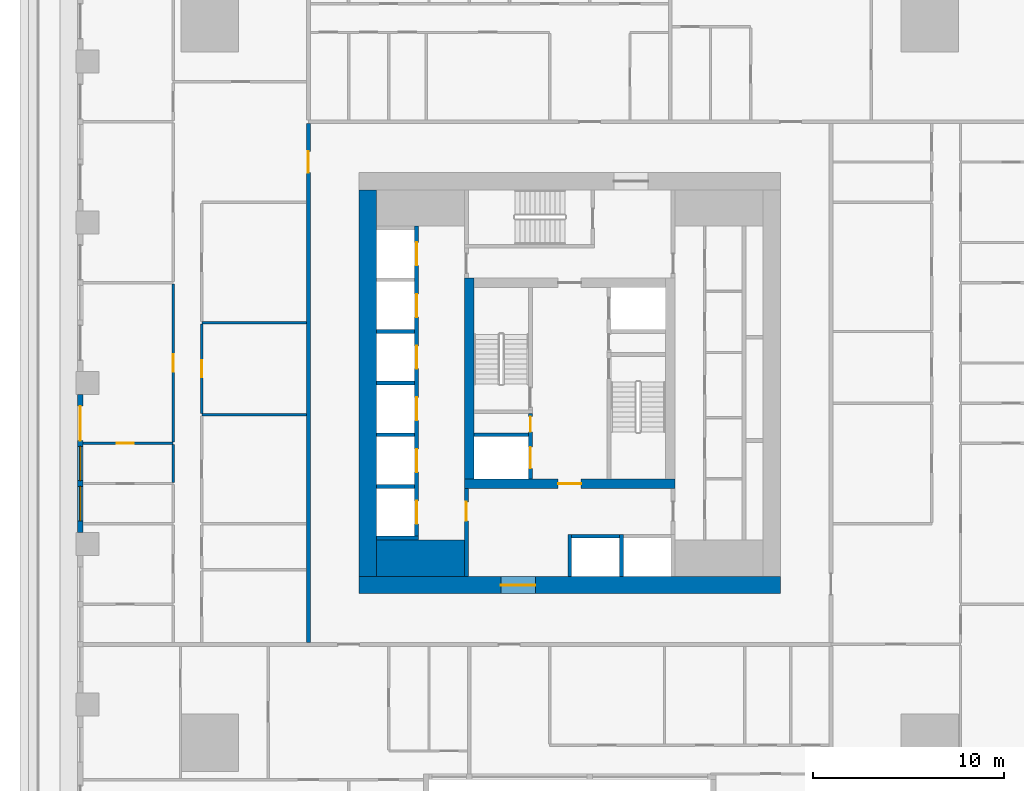
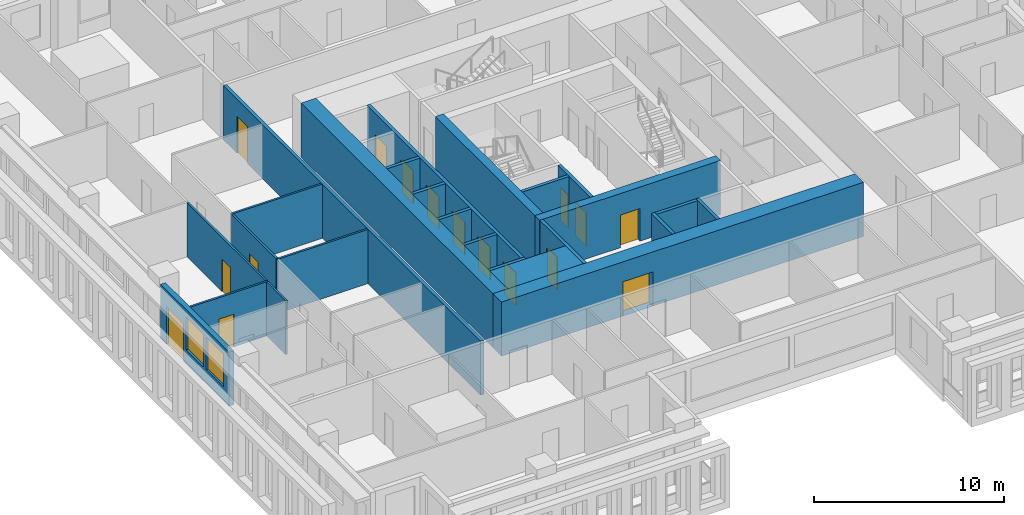
# One storey, part 3 of 15: 25 walls, 16 doors, 2 windows, 18 openings.
"""IFC4 building model written with IfcOpenShell, lengths in metres."""

from ifc_helpers import new_model, si_unit, direction, frame, frame_2d, origin, place, context, subcontext, project, spatial, rectangle, extrude, material, layer, layer_set, type_object, element, fill, save


model = new_model("IFC4")

# Units and contexts
model_context = context("Model", 3, precision=1e-05, world=origin(), true_north=direction((0.0, 1.0)))
body_context = subcontext(model_context, "Body", "Model", "MODEL_VIEW")
ifc_project = project(units=[si_unit("LENGTHUNIT", "METRE"), si_unit("AREAUNIT", "SQUARE_METRE"), si_unit("VOLUMEUNIT", "CUBIC_METRE"), si_unit("PLANEANGLEUNIT", "RADIAN"), si_unit("MASSUNIT", "GRAM", prefix="KILO")], contexts=[model_context])

# Site, building, storey
site_placement = place(None, origin())
site = spatial("IfcSite", under=ifc_project, at=site_placement, CompositionType="ELEMENT")
building_placement = place(site_placement, origin())
building = spatial("IfcBuilding", under=site, at=building_placement, Name="Khepri Terraces", CompositionType="ELEMENT")
storey_placement = place(building_placement, frame((0.0, 0.0, 46.5)))
storey = spatial("IfcBuildingStorey", under=building, at=storey_placement, Name="L10", CompositionType="ELEMENT", Elevation=46.5)

# Walls
ifc_material_1 = material(Name="Concrete C80/95", Category="concrete")
ifc_layer_1 = layer(ifc_material_1, 1.89990234375, Name="Concrete C80/95", Category="concrete")
ifc_layer_set_1 = layer_set([ifc_layer_1], Name="Concrete C80/95")
wall_type_1 = type_object("IfcWallType", Name="Core wall 1900 C80/95", PredefinedType="SHEAR", material=ifc_layer_set_1)
wall_1_placement = place(storey_placement, frame((-10.10009765625, -9.14990234375, 0.0), z_axis=(0.0, 0.0, 1.0), x_axis=(1.0, 0.0, 0.0)))
element("IfcWall", 1, at=wall_1_placement, inside=storey, type_object=wall_type_1, Name="Core wall PR01 L10", PredefinedType="SHEAR", context=body_context, shape_type="SweptSolid", body=[
    extrude(rectangle(XDim=4.60009765625, YDim=1.89990234375, at=frame_2d((2.300048828125, 0.0))), origin(), (0.0, 0.0, 1.0), 3.47998046875),
])
ifc_layer_2 = layer(ifc_material_1, 0.199951171875, Name="Concrete C80/95", Category="concrete")
ifc_layer_set_2 = layer_set([ifc_layer_2], Name="Concrete C80/95")
wall_type_2 = type_object("IfcWallType", Name="Core wall 200 C80/95", PredefinedType="SHEAR", material=ifc_layer_set_2)
for number, where, z_axis, x_axis, name in (
    (2, (0.0, -10.10009765625, 0.0), (0.0, 0.0, 1.0), (0.0, 1.0, 0.0), "Core wall SH01 L10"),
    (3, (2.699951171875, -10.10009765625, 0.0), (0.0, 0.0, 1.0), (0.0, 1.0, 0.0), "Core wall SH02 L10"),
    (4, (-10.10009765625, -8.10009765625, 0.0), (0.0, 0.0, 1.0), (1.0, 0.0, 0.0), "Core wall SH04 L10"),
):
    element("IfcWall", number, at=place(storey_placement, frame(where, z_axis=z_axis, x_axis=x_axis)), inside=storey, type_object=wall_type_2, Name=name, PredefinedType="SHEAR", context=body_context, shape_type="SweptSolid", body=[
        extrude(rectangle(XDim=2.2001953125, YDim=0.199951171875, at=frame_2d((1.10009765625, 0.0))), origin(), (0.0, 0.0, 1.0), 3.47998046875),
    ])
wall_2_placement = place(storey_placement, frame((0.10009765625, -8.0, 0.0), z_axis=(0.0, 0.0, 1.0), x_axis=(1.0, 0.0, 0.0)))
element("IfcWall", 5, at=wall_2_placement, inside=storey, type_object=wall_type_2, Name="Core wall SH06 L10", PredefinedType="SHEAR", context=body_context, shape_type="SweptSolid", body=[
    extrude(rectangle(XDim=2.5, YDim=0.199951171875, at=frame_2d((1.25, 0.0))), origin(), (0.0, 0.0, 1.0), 3.47998046875),
])

# Wall, openings, doors
wall_3_placement = place(storey_placement, frame((-8.0, -8.0, 0.0), z_axis=(0.0, 0.0, 1.0), x_axis=(0.0, 1.0, 0.0)))
wall_3 = element("IfcWall", 6, at=wall_3_placement, inside=storey, type_object=wall_type_2, Name="Core wall SH08 L10", PredefinedType="SHEAR", context=body_context, shape_type="SweptSolid", body=[
    extrude(rectangle(XDim=16.199951171875, YDim=0.199951171875, at=frame_2d((8.10009765625, 0.0))), origin(), (0.0, 0.0, 1.0), 3.47998046875),
])
opening_1_placement = place(wall_3_placement, frame((0.64990234375, 0.0, 0.0)))
opening_1 = element("IfcOpeningElement", 7, at=opening_1_placement, cuts=wall_3, Name="Opening L10-C01", PredefinedType="OPENING", context=body_context, shape_type="SweptSolid", body=[
    extrude(rectangle(XDim=1.199951171875, YDim=2.10009765625, at=frame_2d((0.60009765625, 1.050048828125))), frame((0.0, 0.10986328125, 0.0), z_axis=(0.0, -1.0, 0.0), x_axis=(1.0, 0.0, 0.0)), (0.0, 0.0, 1.0), 0.219970703125),
])
opening_2_placement = place(wall_3_placement, frame((3.35009765625, 0.0, 0.0)))
opening_2 = element("IfcOpeningElement", 8, at=opening_2_placement, cuts=wall_3, Name="Opening L10-C02", PredefinedType="OPENING", context=body_context, shape_type="SweptSolid", body=[
    extrude(rectangle(XDim=1.199951171875, YDim=2.10009765625, at=frame_2d((0.60009765625, 1.050048828125))), frame((0.0, 0.10986328125, 0.0), z_axis=(0.0, -1.0, 0.0), x_axis=(1.0, 0.0, 0.0)), (0.0, 0.0, 1.0), 0.219970703125),
])
opening_3_placement = place(wall_3_placement, frame((6.050048828125, 0.0, 0.0)))
opening_3 = element("IfcOpeningElement", 9, at=opening_3_placement, cuts=wall_3, Name="Opening L10-C03", PredefinedType="OPENING", context=body_context, shape_type="SweptSolid", body=[
    extrude(rectangle(XDim=1.199951171875, YDim=2.10009765625, at=frame_2d((0.60009765625, 1.050048828125))), frame((0.0, 0.10986328125, 0.0), z_axis=(0.0, -1.0, 0.0), x_axis=(1.0, 0.0, 0.0)), (0.0, 0.0, 1.0), 0.219970703125),
])
opening_4_placement = place(wall_3_placement, frame((8.75, 0.0, 0.0)))
opening_4 = element("IfcOpeningElement", 10, at=opening_4_placement, cuts=wall_3, Name="Opening L10-C04", PredefinedType="OPENING", context=body_context, shape_type="SweptSolid", body=[
    extrude(rectangle(XDim=1.199951171875, YDim=2.10009765625, at=frame_2d((0.60009765625, 1.050048828125))), frame((0.0, 0.10986328125, 0.0), z_axis=(0.0, -1.0, 0.0), x_axis=(1.0, 0.0, 0.0)), (0.0, 0.0, 1.0), 0.219970703125),
])
opening_5_placement = place(wall_3_placement, frame((11.449951171875, 0.0, 0.0)))
opening_5 = element("IfcOpeningElement", 11, at=opening_5_placement, cuts=wall_3, Name="Opening L10-C05", PredefinedType="OPENING", context=body_context, shape_type="SweptSolid", body=[
    extrude(rectangle(XDim=1.199951171875, YDim=2.10009765625, at=frame_2d((0.60009765625, 1.050048828125))), frame((0.0, 0.10986328125, 0.0), z_axis=(0.0, -1.0, 0.0), x_axis=(1.0, 0.0, 0.0)), (0.0, 0.0, 1.0), 0.219970703125),
])
opening_6_placement = place(wall_3_placement, frame((14.14990234375, 0.0, 0.0)))
opening_6 = element("IfcOpeningElement", 12, at=opening_6_placement, cuts=wall_3, Name="Opening L10-C06", PredefinedType="OPENING", context=body_context, shape_type="SweptSolid", body=[
    extrude(rectangle(XDim=1.199951171875, YDim=2.10009765625, at=frame_2d((0.60009765625, 1.050048828125))), frame((0.0, 0.10986328125, 0.0), z_axis=(0.0, -1.0, 0.0), x_axis=(1.0, 0.0, 0.0)), (0.0, 0.0, 1.0), 0.219970703125),
])
ifc_material_2 = material(Name="Stainless steel 304", Category="steel")
door_type_1 = type_object("IfcDoorType", Name="DR-CORE-LANDING-1200", OperationType="NOTDEFINED", PredefinedType="DOOR", material=ifc_material_2)
door_1_placement = place(opening_1_placement, origin())
door_1 = element("IfcDoor", 13, at=door_1_placement, inside=storey, type_object=door_type_1, Name="Lift landing door L10-C01", OperationType="SLIDING_TO_LEFT", OverallHeight=2.10009765625, OverallWidth=1.199951171875, PredefinedType="DOOR", context=body_context, shape_type="SweptSolid", body=[
    extrude(rectangle(XDim=1.199951171875, YDim=2.10009765625, at=frame_2d((0.60009765625, 1.050048828125))), frame((0.0, 0.02490234375, 0.0), z_axis=(0.0, -1.0, 0.0), x_axis=(1.0, 0.0, 0.0)), (0.0, 0.0, 1.0), 0.050048828125),
])
fill(opening_1, door_1)
door_2_placement = place(opening_2_placement, origin())
door_2 = element("IfcDoor", 14, at=door_2_placement, inside=storey, type_object=door_type_1, Name="Lift landing door L10-C02", OperationType="SLIDING_TO_LEFT", OverallHeight=2.10009765625, OverallWidth=1.199951171875, PredefinedType="DOOR", context=body_context, shape_type="SweptSolid", body=[
    extrude(rectangle(XDim=1.199951171875, YDim=2.10009765625, at=frame_2d((0.60009765625, 1.050048828125))), frame((0.0, 0.02490234375, 0.0), z_axis=(0.0, -1.0, 0.0), x_axis=(1.0, 0.0, 0.0)), (0.0, 0.0, 1.0), 0.050048828125),
])
fill(opening_2, door_2)
door_3_placement = place(opening_3_placement, origin())
door_3 = element("IfcDoor", 15, at=door_3_placement, inside=storey, type_object=door_type_1, Name="Lift landing door L10-C03", OperationType="SLIDING_TO_LEFT", OverallHeight=2.10009765625, OverallWidth=1.199951171875, PredefinedType="DOOR", context=body_context, shape_type="SweptSolid", body=[
    extrude(rectangle(XDim=1.199951171875, YDim=2.10009765625, at=frame_2d((0.60009765625, 1.050048828125))), frame((0.0, 0.02490234375, 0.0), z_axis=(0.0, -1.0, 0.0), x_axis=(1.0, 0.0, 0.0)), (0.0, 0.0, 1.0), 0.050048828125),
])
fill(opening_3, door_3)
door_4_placement = place(opening_4_placement, origin())
door_4 = element("IfcDoor", 16, at=door_4_placement, inside=storey, type_object=door_type_1, Name="Lift landing door L10-C04", OperationType="SLIDING_TO_LEFT", OverallHeight=2.10009765625, OverallWidth=1.199951171875, PredefinedType="DOOR", context=body_context, shape_type="SweptSolid", body=[
    extrude(rectangle(XDim=1.199951171875, YDim=2.10009765625, at=frame_2d((0.60009765625, 1.050048828125))), frame((0.0, 0.02490234375, 0.0), z_axis=(0.0, -1.0, 0.0), x_axis=(1.0, 0.0, 0.0)), (0.0, 0.0, 1.0), 0.050048828125),
])
fill(opening_4, door_4)
door_5_placement = place(opening_5_placement, origin())
door_5 = element("IfcDoor", 17, at=door_5_placement, inside=storey, type_object=door_type_1, Name="Lift landing door L10-C05", OperationType="SLIDING_TO_LEFT", OverallHeight=2.10009765625, OverallWidth=1.199951171875, PredefinedType="DOOR", context=body_context, shape_type="SweptSolid", body=[
    extrude(rectangle(XDim=1.199951171875, YDim=2.10009765625, at=frame_2d((0.60009765625, 1.050048828125))), frame((0.0, 0.02490234375, 0.0), z_axis=(0.0, -1.0, 0.0), x_axis=(1.0, 0.0, 0.0)), (0.0, 0.0, 1.0), 0.050048828125),
])
fill(opening_5, door_5)
door_6_placement = place(opening_6_placement, origin())
door_6 = element("IfcDoor", 18, at=door_6_placement, inside=storey, type_object=door_type_1, Name="Lift landing door L10-C06", OperationType="SLIDING_TO_LEFT", OverallHeight=2.10009765625, OverallWidth=1.199951171875, PredefinedType="DOOR", context=body_context, shape_type="SweptSolid", body=[
    extrude(rectangle(XDim=1.199951171875, YDim=2.10009765625, at=frame_2d((0.60009765625, 1.050048828125))), frame((0.0, 0.02490234375, 0.0), z_axis=(0.0, -1.0, 0.0), x_axis=(1.0, 0.0, 0.0)), (0.0, 0.0, 1.0), 0.050048828125),
])
fill(opening_6, door_6)

# Wall
wall_4_placement = place(storey_placement, frame((-10.10009765625, -5.39990234375, 0.0), z_axis=(0.0, 0.0, 1.0), x_axis=(1.0, 0.0, 0.0)))
element("IfcWall", 19, at=wall_4_placement, inside=storey, type_object=wall_type_2, Name="Core wall SH09 L10", PredefinedType="SHEAR", context=body_context, shape_type="SweptSolid", body=[
    extrude(rectangle(XDim=2.0, YDim=0.199951171875, at=frame_2d((1.0, 0.0))), origin(), (0.0, 0.0, 1.0), 3.47998046875),
])

# Wall, openings, doors
wall_5_placement = place(storey_placement, frame((-2.050048828125, -5.0, 0.0), z_axis=(0.0, 0.0, 1.0), x_axis=(0.0, 1.0, 0.0)))
wall_5 = element("IfcWall", 20, at=wall_5_placement, inside=storey, type_object=wall_type_2, Name="Core wall SH10 L10", PredefinedType="SHEAR", context=body_context, shape_type="SweptSolid", body=[
    extrude(rectangle(XDim=3.39990234375, YDim=0.199951171875, at=frame_2d((1.699951171875, 0.0))), origin(), (0.0, 0.0, 1.0), 3.47998046875),
])
opening_7_placement = place(wall_5_placement, frame((0.550048828125, 0.0, 0.0)))
opening_7 = element("IfcOpeningElement", 21, at=opening_7_placement, cuts=wall_5, Name="Opening L10-C08", PredefinedType="OPENING", context=body_context, shape_type="SweptSolid", body=[
    extrude(rectangle(XDim=1.10009765625, YDim=2.10009765625, at=frame_2d((0.550048828125, 1.050048828125))), frame((0.0, 0.10986328125, 0.0), z_axis=(0.0, -1.0, 0.0), x_axis=(1.0, 0.0, 0.0)), (0.0, 0.0, 1.0), 0.219970703125),
])
opening_8_placement = place(wall_5_placement, frame((2.449951171875, 0.0, 0.0)))
opening_8 = element("IfcOpeningElement", 22, at=opening_8_placement, cuts=wall_5, Name="Opening L10-C12", PredefinedType="OPENING", context=body_context, shape_type="SweptSolid", body=[
    extrude(rectangle(XDim=0.800048828125, YDim=2.10009765625, at=frame_2d((0.39990234375, 1.050048828125))), frame((0.0, 0.10986328125, 0.0), z_axis=(0.0, -1.0, 0.0), x_axis=(1.0, 0.0, 0.0)), (0.0, 0.0, 1.0), 0.219970703125),
])
door_type_2 = type_object("IfcDoorType", Name="DR-CORE-FF-LANDING-1100", OperationType="NOTDEFINED", PredefinedType="DOOR", material=ifc_material_2)
door_7_placement = place(opening_7_placement, origin())
door_7 = element("IfcDoor", 23, at=door_7_placement, inside=storey, type_object=door_type_2, Name="Firefighting lift landing door L10-C08", OperationType="SLIDING_TO_LEFT", OverallHeight=2.10009765625, OverallWidth=1.10009765625, PredefinedType="DOOR", context=body_context, shape_type="SweptSolid", body=[
    extrude(rectangle(XDim=1.10009765625, YDim=2.10009765625, at=frame_2d((0.550048828125, 1.050048828125))), frame((0.0, 0.02490234375, 0.0), z_axis=(0.0, -1.0, 0.0), x_axis=(1.0, 0.0, 0.0)), (0.0, 0.0, 1.0), 0.050048828125),
])
fill(opening_7, door_7)
ifc_material_3 = material(Name="Painted steel", Category="steel")
door_type_3 = type_object("IfcDoorType", Name="DR-CORE-RISER-800", OperationType="NOTDEFINED", PredefinedType="DOOR", material=ifc_material_3)
door_8_placement = place(opening_8_placement, origin())
door_8 = element("IfcDoor", 24, at=door_8_placement, inside=storey, type_object=door_type_3, Name="Riser door L10-C12", OperationType="SINGLE_SWING_RIGHT", OverallHeight=2.10009765625, OverallWidth=0.800048828125, PredefinedType="DOOR", context=body_context, shape_type="SweptSolid", body=[
    extrude(rectangle(XDim=0.800048828125, YDim=2.10009765625, at=frame_2d((0.39990234375, 1.050048828125))), frame((0.0, 0.02490234375, 0.0), z_axis=(0.0, -1.0, 0.0), x_axis=(1.0, 0.0, 0.0)), (0.0, 0.0, 1.0), 0.050048828125),
])
fill(opening_8, door_8)

# Walls
wall_6_placement = place(storey_placement, frame((-10.10009765625, -2.699951171875, 0.0), z_axis=(0.0, 0.0, 1.0), x_axis=(1.0, 0.0, 0.0)))
element("IfcWall", 25, at=wall_6_placement, inside=storey, type_object=wall_type_2, Name="Core wall SH12 L10", PredefinedType="SHEAR", context=body_context, shape_type="SweptSolid", body=[
    extrude(rectangle(XDim=2.0, YDim=0.199951171875, at=frame_2d((1.0, 0.0))), origin(), (0.0, 0.0, 1.0), 3.47998046875),
])
wall_7_placement = place(storey_placement, frame((-5.0, -2.699951171875, 0.0), z_axis=(0.0, 0.0, 1.0), x_axis=(1.0, 0.0, 0.0)))
element("IfcWall", 26, at=wall_7_placement, inside=storey, type_object=wall_type_2, Name="Core wall SH13 L10", PredefinedType="SHEAR", context=body_context, shape_type="SweptSolid", body=[
    extrude(rectangle(XDim=2.85009765625, YDim=0.199951171875, at=frame_2d((1.425048828125, 0.0))), origin(), (0.0, 0.0, 1.0), 3.47998046875),
])
for number, where, z_axis, x_axis, name in (
    (27, (-10.10009765625, 0.0, 0.0), (0.0, 0.0, 1.0), (1.0, 0.0, 0.0), "Core wall SH14 L10"),
    (28, (-10.10009765625, 2.699951171875, 0.0), (0.0, 0.0, 1.0), (1.0, 0.0, 0.0), "Core wall SH17 L10"),
):
    element("IfcWall", number, at=place(storey_placement, frame(where, z_axis=z_axis, x_axis=x_axis)), inside=storey, type_object=wall_type_2, Name=name, PredefinedType="SHEAR", context=body_context, shape_type="SweptSolid", body=[
        extrude(rectangle(XDim=2.0, YDim=0.199951171875, at=frame_2d((1.0, 0.0))), origin(), (0.0, 0.0, 1.0), 3.47998046875),
    ])

# Wall, opening, door
ifc_layer_3 = layer(ifc_material_1, 0.5, Name="Concrete C80/95", Category="concrete")
ifc_layer_set_3 = layer_set([ifc_layer_3], Name="Concrete C80/95")
wall_type_3 = type_object("IfcWallType", Name="Core wall 500 C80/95", PredefinedType="SHEAR", material=ifc_layer_set_3)
wall_8_placement = place(storey_placement, frame((-5.5, -5.25, 0.0), z_axis=(0.0, 0.0, 1.0), x_axis=(1.0, 0.0, 0.0)))
wall_8 = element("IfcWall", 29, at=wall_8_placement, inside=storey, type_object=wall_type_3, Name="Core wall BX01 L10", PredefinedType="SHEAR", context=body_context, shape_type="SweptSolid", body=[
    extrude(rectangle(XDim=11.0, YDim=0.5, at=frame_2d((5.5, 0.0))), origin(), (0.0, 0.0, 1.0), 3.47998046875),
])
opening_9_placement = place(wall_8_placement, frame((4.89990234375, 0.0, 0.0)))
opening_9 = element("IfcOpeningElement", 30, at=opening_9_placement, cuts=wall_8, Name="Opening L10-C14", PredefinedType="OPENING", context=body_context, shape_type="SweptSolid", body=[
    extrude(rectangle(XDim=1.199951171875, YDim=2.10009765625, at=frame_2d((0.60009765625, 1.050048828125))), frame((0.0, 0.260009765625, 0.0), z_axis=(0.0, -1.0, 0.0), x_axis=(1.0, 0.0, 0.0)), (0.0, 0.0, 1.0), 0.52001953125),
])
door_type_4 = type_object("IfcDoorType", Name="DR-CORE-FF-LOBBY-1200", OperationType="NOTDEFINED", PredefinedType="DOOR", material=ifc_material_3)
door_9_placement = place(opening_9_placement, origin())
door_9 = element("IfcDoor", 31, at=door_9_placement, inside=storey, type_object=door_type_4, Name="Firefighting lobby door L10-C14", OperationType="SINGLE_SWING_RIGHT", OverallHeight=2.10009765625, OverallWidth=1.199951171875, PredefinedType="DOOR", context=body_context, shape_type="SweptSolid", body=[
    extrude(rectangle(XDim=1.199951171875, YDim=2.10009765625, at=frame_2d((0.60009765625, 1.050048828125))), frame((0.0, 0.02490234375, 0.0), z_axis=(0.0, -1.0, 0.0), x_axis=(1.0, 0.0, 0.0)), (0.0, 0.0, 1.0), 0.050048828125),
])
fill(opening_9, door_9)

# Wall
wall_9_placement = place(storey_placement, frame((-5.25, -5.0, 0.0), z_axis=(0.0, 0.0, 1.0), x_axis=(0.0, 1.0, 0.0)))
element("IfcWall", 32, at=wall_9_placement, inside=storey, type_object=wall_type_3, Name="Core wall BX02 L10", PredefinedType="SHEAR", context=body_context, shape_type="SweptSolid", body=[
    extrude(rectangle(XDim=10.5, YDim=0.5, at=frame_2d((5.25, 0.0))), origin(), (0.0, 0.0, 1.0), 3.47998046875),
])

# Wall, opening, door
ifc_layer_4 = layer(ifc_material_1, 0.89990234375, Name="Concrete C80/95", Category="concrete")
ifc_layer_set_4 = layer_set([ifc_layer_4], Name="Concrete C80/95")
wall_type_4 = type_object("IfcWallType", Name="Core wall 900 C80/95", PredefinedType="SHEAR", material=ifc_layer_set_4)
wall_10_placement = place(storey_placement, frame((-11.0, -10.550048828125, 0.0), z_axis=(0.0, 0.0, 1.0), x_axis=(1.0, 0.0, 0.0)))
wall_10 = element("IfcWall", 33, at=wall_10_placement, inside=storey, type_object=wall_type_4, Name="Core wall OW-S L10", PredefinedType="SHEAR", context=body_context, shape_type="SweptSolid", body=[
    extrude(rectangle(XDim=22.0, YDim=0.89990234375, at=frame_2d((11.0, 0.0))), origin(), (0.0, 0.0, 1.0), 3.47998046875),
])
opening_10_placement = place(wall_10_placement, frame((7.39990234375, 0.0, 0.0)))
opening_10 = element("IfcOpeningElement", 34, at=opening_10_placement, cuts=wall_10, Name="Opening L10-C21", PredefinedType="OPENING", context=body_context, shape_type="SweptSolid", body=[
    extrude(rectangle(XDim=1.800048828125, YDim=2.199951171875, at=frame_2d((0.89990234375, 1.10009765625))), frame((0.0, 0.4599609375, 0.0), z_axis=(0.0, -1.0, 0.0), x_axis=(1.0, 0.0, 0.0)), (0.0, 0.0, 1.0), 0.919921875),
])
door_type_5 = type_object("IfcDoorType", Name="DR-CORE-ENTRANCE-1800", OperationType="NOTDEFINED", PredefinedType="DOOR", material=ifc_material_3)
door_10_placement = place(opening_10_placement, frame((1.800048828125, 0.0, 0.0), z_axis=(0.0, 0.0, 1.0), x_axis=(-1.0, 0.0, 0.0)))
door_10 = element("IfcDoor", 35, at=door_10_placement, inside=storey, type_object=door_type_5, Name="Core entrance door pair L10-C21", OperationType="DOUBLE_DOOR_SINGLE_SWING", OverallHeight=2.199951171875, OverallWidth=1.800048828125, PredefinedType="DOOR", context=body_context, shape_type="SweptSolid", body=[
    extrude(rectangle(XDim=1.800048828125, YDim=2.199951171875, at=frame_2d((0.89990234375, 1.10009765625))), frame((0.0, 0.02490234375, 0.0), z_axis=(0.0, -1.0, 0.0), x_axis=(1.0, 0.0, 0.0)), (0.0, 0.0, 1.0), 0.050048828125),
])
fill(opening_10, door_10)

# Wall
wall_11_placement = place(storey_placement, frame((-10.550048828125, -10.10009765625, 0.0), z_axis=(0.0, 0.0, 1.0), x_axis=(0.0, 1.0, 0.0)))
element("IfcWall", 36, at=wall_11_placement, inside=storey, type_object=wall_type_4, Name="Core wall OW-W L10", PredefinedType="SHEAR", context=body_context, shape_type="SweptSolid", body=[
    extrude(rectangle(XDim=20.2001953125, YDim=0.89990234375, at=frame_2d((10.10009765625, 0.0))), origin(), (0.0, 0.0, 1.0), 3.47998046875),
])

# Wall, opening, door
ifc_material_4 = material(Name="Fire-rated gypsum board partition")
ifc_layer_5 = layer(ifc_material_4, 0.199951171875, Name="Fire-rated gypsum board partition")
ifc_layer_set_5 = layer_set([ifc_layer_5], Name="Fire-rated gypsum board partition")
wall_type_5 = type_object("IfcWallType", Name="WL-CORE-PART-200", PredefinedType="PARTITIONING", material=ifc_layer_set_5)
wall_12_placement = place(storey_placement, frame((-5.39990234375, -10.10009765625, 0.0), z_axis=(0.0, 0.0, 1.0), x_axis=(0.0, 1.0, 0.0)))
wall_12 = element("IfcWall", 37, at=wall_12_placement, inside=storey, type_object=wall_type_5, Name="Core partition PT01 L10", PredefinedType="PARTITIONING", context=body_context, shape_type="SweptSolid", body=[
    extrude(rectangle(XDim=4.60009765625, YDim=0.199951171875, at=frame_2d((2.300048828125, 0.0))), origin(), (0.0, 0.0, 1.0), 3.47998046875),
])
opening_11_placement = place(wall_12_placement, frame((2.89990234375, 0.0, 0.0)))
opening_11 = element("IfcOpeningElement", 38, at=opening_11_placement, cuts=wall_12, Name="Opening L10-C18", PredefinedType="OPENING", context=body_context, shape_type="SweptSolid", body=[
    extrude(rectangle(XDim=1.0, YDim=2.10009765625, at=frame_2d((0.5, 1.050048828125))), frame((0.0, 0.10986328125, 0.0), z_axis=(0.0, -1.0, 0.0), x_axis=(1.0, 0.0, 0.0)), (0.0, 0.0, 1.0), 0.219970703125),
])
door_type_6 = type_object("IfcDoorType", Name="DR-CORE-LOBBY-1000", OperationType="NOTDEFINED", PredefinedType="DOOR", material=ifc_material_3)
door_11_placement = place(opening_11_placement, frame((1.0, 0.0, 0.0), z_axis=(0.0, 0.0, 1.0), x_axis=(-1.0, 0.0, 0.0)))
door_11 = element("IfcDoor", 39, at=door_11_placement, inside=storey, type_object=door_type_6, Name="Lobby door L10-C18", OperationType="SINGLE_SWING_LEFT", OverallHeight=2.10009765625, OverallWidth=1.0, PredefinedType="DOOR", context=body_context, shape_type="SweptSolid", body=[
    extrude(rectangle(XDim=1.0, YDim=2.10009765625, at=frame_2d((0.5, 1.050048828125))), frame((0.0, 0.02490234375, 0.0), z_axis=(0.0, -1.0, 0.0), x_axis=(1.0, 0.0, 0.0)), (0.0, 0.0, 1.0), 0.050048828125),
])
fill(opening_11, door_11)

ifc_material_5 = material(Name="Fire-rated gypsum plasterboard partition, mineral wool")
ifc_layer_6 = layer(ifc_material_5, 0.199951171875, Name="Fire-rated gypsum plasterboard partition, mineral wool")
ifc_layer_set_6 = layer_set([ifc_layer_6], Name="Fire-rated gypsum plasterboard partition, mineral wool")
wall_type_6 = type_object("IfcWallType", Name="WL-CORR-200", PredefinedType="PARTITIONING", material=ifc_layer_set_6)
wall_13_placement = place(storey_placement, frame((-13.64990234375, -13.550048828125, 0.0), z_axis=(0.0, 0.0, 1.0), x_axis=(0.0, 1.0, 0.0)))
wall_13 = element("IfcWall", 40, at=wall_13_placement, inside=storey, type_object=wall_type_6, Name="Partition P-023 L10", PredefinedType="PARTITIONING", context=body_context, shape_type="SweptSolid", body=[
    extrude(rectangle(XDim=27.10009765625, YDim=0.199951171875, at=frame_2d((13.550048828125, 0.0))), origin(), (0.0, 0.0, 1.0), 3.47998046875),
])
opening_12_placement = place(wall_13_placement, frame((24.550048828125, 0.0, 0.0)))
opening_12 = element("IfcOpeningElement", 41, at=opening_12_placement, cuts=wall_13, Name="Opening D1", PredefinedType="OPENING", context=body_context, shape_type="SweptSolid", body=[
    extrude(rectangle(XDim=1.10009765625, YDim=2.39990234375, at=frame_2d((0.550048828125, 1.199951171875))), frame((0.0, 0.10986328125, 0.0), z_axis=(0.0, -1.0, 0.0), x_axis=(1.0, 0.0, 0.0)), (0.0, 0.0, 1.0), 0.219970703125),
])
ifc_material_6 = material(Name="Solid-core timber door leaf, flat entrance door", Category="wood")
door_type_7 = type_object("IfcDoorType", Name="DR-ENT-1100", OperationType="NOTDEFINED", PredefinedType="DOOR", material=ifc_material_6)
door_12_placement = place(opening_12_placement, origin())
door_12 = element("IfcDoor", 42, at=door_12_placement, inside=storey, type_object=door_type_7, Name="Flat D1 entrance door", OperationType="SINGLE_SWING_RIGHT", OverallHeight=2.39990234375, OverallWidth=1.10009765625, PredefinedType="DOOR", context=body_context, shape_type="SweptSolid", body=[
    extrude(rectangle(XDim=1.10009765625, YDim=2.39990234375, at=frame_2d((0.550048828125, 1.199951171875))), frame((0.0, 0.02490234375, 0.0), z_axis=(0.0, -1.0, 0.0), x_axis=(1.0, 0.0, 0.0)), (0.0, 0.0, 1.0), 0.050048828125),
])
fill(opening_12, door_12)

# Wall, openings, door, windows
ifc_material_7 = material(Name="Precast concrete C50/60 warm stone", Category="masonry")
ifc_layer_7 = layer(ifc_material_7, 0.300048828125, Name="Precast concrete C50/60 warm stone", Category="masonry")
ifc_layer_set_7 = layer_set([ifc_layer_7], Name="Precast concrete C50/60 warm stone")
wall_type_7 = type_object("IfcWallType", Name="WL-EXT-PRECAST-300", PredefinedType="STANDARD", material=ifc_layer_set_7)
wall_14_placement = place(storey_placement, frame((-25.570068359375, -0.60009765625, 0.0), z_axis=(0.0, 0.0, 1.0), x_axis=(0.0, -1.0, 0.0)))
wall_14 = element("IfcWall", 43, at=wall_14_placement, inside=storey, type_object=wall_type_7, Name="External wall L10 W", PredefinedType="STANDARD", context=body_context, shape_type="SweptSolid", body=[
    extrude(rectangle(XDim=7.199951171875, YDim=0.300048828125, at=frame_2d((3.60009765625, 0.0))), origin(), (0.0, 0.0, 1.0), 3.47998046875),
])
opening_13_placement = place(wall_14_placement, frame((0.60009765625, 0.0, 0.0)))
opening_13 = element("IfcOpeningElement", 44, at=opening_13_placement, cuts=wall_14, Name="Opening ED-L10-17", PredefinedType="OPENING", context=body_context, shape_type="SweptSolid", body=[
    extrude(rectangle(XDim=1.800048828125, YDim=2.39990234375, at=frame_2d((0.89990234375, 1.199951171875))), frame((0.0, 0.16015625, 0.0), z_axis=(0.0, -1.0, 0.0), x_axis=(1.0, 0.0, 0.0)), (0.0, 0.0, 1.0), 0.320068359375),
])
opening_14_placement = place(wall_14_placement, frame((2.699951171875, 0.0, 0.89990234375)))
opening_14 = element("IfcOpeningElement", 45, at=opening_14_placement, cuts=wall_14, Name="Opening W1", PredefinedType="OPENING", context=body_context, shape_type="SweptSolid", body=[
    extrude(rectangle(XDim=1.800048828125, YDim=2.10009765625, at=frame_2d((0.89990234375, 1.050048828125))), frame((0.0, 0.16015625, 0.0), z_axis=(0.0, -1.0, 0.0), x_axis=(1.0, 0.0, 0.0)), (0.0, 0.0, 1.0), 0.320068359375),
])
opening_15_placement = place(wall_14_placement, frame((4.800048828125, 0.0, 0.89990234375)))
opening_15 = element("IfcOpeningElement", 46, at=opening_15_placement, cuts=wall_14, Name="Opening W1", PredefinedType="OPENING", context=body_context, shape_type="SweptSolid", body=[
    extrude(rectangle(XDim=1.800048828125, YDim=2.10009765625, at=frame_2d((0.89990234375, 1.050048828125))), frame((0.0, 0.16015625, 0.0), z_axis=(0.0, -1.0, 0.0), x_axis=(1.0, 0.0, 0.0)), (0.0, 0.0, 1.0), 0.320068359375),
])
ifc_material_8 = material(Name="Anodised aluminium bronze glazed door", Category="aluminium")
door_type_8 = type_object("IfcDoorType", Name="DR-BAL-SLIDE-1800x2400", OperationType="NOTDEFINED", PredefinedType="DOOR", material=ifc_material_8)
door_13_placement = place(opening_13_placement, origin())
door_13 = element("IfcDoor", 47, at=door_13_placement, inside=storey, type_object=door_type_8, Name="Balcony door L10 W", OperationType="SLIDING_TO_LEFT", OverallHeight=2.39990234375, OverallWidth=1.800048828125, PredefinedType="DOOR", context=body_context, shape_type="SweptSolid", body=[
    extrude(rectangle(XDim=1.800048828125, YDim=2.39990234375, at=frame_2d((0.89990234375, 1.199951171875))), frame((0.0, 0.02490234375, 0.0), z_axis=(0.0, -1.0, 0.0), x_axis=(1.0, 0.0, 0.0)), (0.0, 0.0, 1.0), 0.050048828125),
])
fill(opening_13, door_13)
ifc_material_9 = material(Name="Clear glass", Category="glass")
window_type = type_object("IfcWindowType", Name="WIN-RES-1800x2100", PartitioningType="SINGLE_PANEL", PredefinedType="WINDOW", material=ifc_material_9)
window_1_placement = place(opening_14_placement, origin())
window_1 = element("IfcWindow", 48, at=window_1_placement, inside=storey, type_object=window_type, Name="Window L10 W", OverallHeight=2.10009765625, OverallWidth=1.800048828125, PartitioningType="SINGLE_PANEL", PredefinedType="WINDOW", context=body_context, shape_type="SweptSolid", body=[
    extrude(rectangle(XDim=1.800048828125, YDim=2.10009765625, at=frame_2d((0.89990234375, 1.050048828125))), frame((0.0, 0.030029296875, 0.0), z_axis=(0.0, -1.0, 0.0), x_axis=(1.0, 0.0, 0.0)), (0.0, 0.0, 1.0), 0.06005859375),
])
fill(opening_14, window_1)
window_2_placement = place(opening_15_placement, origin())
window_2 = element("IfcWindow", 49, at=window_2_placement, inside=storey, type_object=window_type, Name="Window L10 W", OverallHeight=2.10009765625, OverallWidth=1.800048828125, PartitioningType="SINGLE_PANEL", PredefinedType="WINDOW", context=body_context, shape_type="SweptSolid", body=[
    extrude(rectangle(XDim=1.800048828125, YDim=2.10009765625, at=frame_2d((0.89990234375, 1.050048828125))), frame((0.0, 0.030029296875, 0.0), z_axis=(0.0, -1.0, 0.0), x_axis=(1.0, 0.0, 0.0)), (0.0, 0.0, 1.0), 0.06005859375),
])
fill(opening_15, window_2)

# Wall
ifc_material_10 = material(Name="Gypsum plasterboard partition")
ifc_layer_8 = layer(ifc_material_10, 0.1201171875, Name="Gypsum plasterboard partition")
ifc_layer_set_8 = layer_set([ifc_layer_8], Name="Gypsum plasterboard partition")
wall_type_8 = type_object("IfcWallType", Name="WL-PART-120", PredefinedType="PARTITIONING", material=ifc_layer_set_8)
wall_15_placement = place(storey_placement, frame((-20.719970703125, -5.18994140625, 0.0), z_axis=(0.0, 0.0, 1.0), x_axis=(0.0, 1.0, 0.0)))
element("IfcWall", 50, at=wall_15_placement, inside=storey, type_object=wall_type_8, Name="Partition P-038 L10", PredefinedType="PARTITIONING", context=body_context, shape_type="SweptSolid", body=[
    extrude(rectangle(XDim=1.97998046875, YDim=0.1201171875, at=frame_2d((0.989990234375, 0.0))), origin(), (0.0, 0.0, 1.0), 3.47998046875),
])

# Wall, opening, door
wall_16_placement = place(storey_placement, frame((-25.419921875, -3.14990234375, 0.0), z_axis=(0.0, 0.0, 1.0), x_axis=(1.0, 0.0, 0.0)))
wall_16 = element("IfcWall", 51, at=wall_16_placement, inside=storey, type_object=wall_type_8, Name="Partition P-039 L10", PredefinedType="PARTITIONING", context=body_context, shape_type="SweptSolid", body=[
    extrude(rectangle(XDim=4.699951171875, YDim=0.1201171875, at=frame_2d((2.35009765625, 0.0))), origin(), (0.0, 0.0, 1.0), 3.47998046875),
])
opening_16_placement = place(wall_16_placement, frame((1.75, 0.0, 0.0)))
opening_16 = element("IfcOpeningElement", 52, at=opening_16_placement, cuts=wall_16, Name="Opening D3", PredefinedType="OPENING", context=body_context, shape_type="SweptSolid", body=[
    extrude(rectangle(XDim=0.89990234375, YDim=2.10009765625, at=frame_2d((0.449951171875, 1.050048828125))), frame((0.0, 0.070068359375, 0.0), z_axis=(0.0, -1.0, 0.0), x_axis=(1.0, 0.0, 0.0)), (0.0, 0.0, 1.0), 0.14013671875),
])
ifc_material_11 = material(Name="Timber door leaf", Category="wood")
door_type_9 = type_object("IfcDoorType", Name="DR-INT-900", OperationType="NOTDEFINED", PredefinedType="DOOR", material=ifc_material_11)
door_14_placement = place(opening_16_placement, frame((0.89990234375, 0.0, 0.0), z_axis=(0.0, 0.0, 1.0), x_axis=(-1.0, 0.0, 0.0)))
door_14 = element("IfcDoor", 53, at=door_14_placement, inside=storey, type_object=door_type_9, Name="Door Dressing Room", OperationType="SINGLE_SWING_RIGHT", OverallHeight=2.10009765625, OverallWidth=0.89990234375, PredefinedType="DOOR", context=body_context, shape_type="SweptSolid", body=[
    extrude(rectangle(XDim=0.89990234375, YDim=2.10009765625, at=frame_2d((0.449951171875, 1.050048828125))), frame((0.0, 0.02490234375, 0.0), z_axis=(0.0, -1.0, 0.0), x_axis=(1.0, 0.0, 0.0)), (0.0, 0.0, 1.0), 0.050048828125),
])
fill(opening_16, door_14)

wall_17_placement = place(storey_placement, frame((-20.719970703125, -3.090087890625, 0.0), z_axis=(0.0, 0.0, 1.0), x_axis=(0.0, 1.0, 0.0)))
wall_17 = element("IfcWall", 54, at=wall_17_placement, inside=storey, type_object=wall_type_8, Name="Partition P-041 L10", PredefinedType="PARTITIONING", context=body_context, shape_type="SweptSolid", body=[
    extrude(rectangle(XDim=8.280029296875, YDim=0.1201171875, at=frame_2d((4.14013671875, 0.0))), origin(), (0.0, 0.0, 1.0), 3.47998046875),
])
opening_17_placement = place(wall_17_placement, frame((3.68994140625, 0.0, 0.0)))
opening_17 = element("IfcOpeningElement", 55, at=opening_17_placement, cuts=wall_17, Name="Opening D3", PredefinedType="OPENING", context=body_context, shape_type="SweptSolid", body=[
    extrude(rectangle(XDim=0.89990234375, YDim=2.10009765625, at=frame_2d((0.449951171875, 1.050048828125))), frame((0.0, 0.070068359375, 0.0), z_axis=(0.0, -1.0, 0.0), x_axis=(1.0, 0.0, 0.0)), (0.0, 0.0, 1.0), 0.14013671875),
])
door_15_placement = place(opening_17_placement, origin())
door_15 = element("IfcDoor", 56, at=door_15_placement, inside=storey, type_object=door_type_9, Name="Door Master Bedroom", OperationType="SINGLE_SWING_LEFT", OverallHeight=2.10009765625, OverallWidth=0.89990234375, PredefinedType="DOOR", context=body_context, shape_type="SweptSolid", body=[
    extrude(rectangle(XDim=0.89990234375, YDim=2.10009765625, at=frame_2d((0.449951171875, 1.050048828125))), frame((0.0, 0.02490234375, 0.0), z_axis=(0.0, -1.0, 0.0), x_axis=(1.0, 0.0, 0.0)), (0.0, 0.0, 1.0), 0.050048828125),
])
fill(opening_17, door_15)

# Wall
wall_18_placement = place(storey_placement, frame((-19.219970703125, -1.64990234375, 0.0), z_axis=(0.0, 0.0, 1.0), x_axis=(1.0, 0.0, 0.0)))
element("IfcWall", 57, at=wall_18_placement, inside=storey, type_object=wall_type_8, Name="Partition P-043 L10", PredefinedType="PARTITIONING", context=body_context, shape_type="SweptSolid", body=[
    extrude(rectangle(XDim=5.469970703125, YDim=0.1201171875, at=frame_2d((2.73486328125, 0.0))), origin(), (0.0, 0.0, 1.0), 3.47998046875),
])

# Wall, opening, door
wall_19_placement = place(storey_placement, frame((-19.219970703125, -1.590087890625, 0.0), z_axis=(0.0, 0.0, 1.0), x_axis=(0.0, 1.0, 0.0)))
wall_19 = element("IfcWall", 58, at=wall_19_placement, inside=storey, type_object=wall_type_8, Name="Partition P-044 L10", PredefinedType="PARTITIONING", context=body_context, shape_type="SweptSolid", body=[
    extrude(rectangle(XDim=4.68017578125, YDim=0.1201171875, at=frame_2d((2.340087890625, 0.0))), origin(), (0.0, 0.0, 1.0), 3.47998046875),
])
opening_18_placement = place(wall_19_placement, frame((1.889892578125, 0.0, 0.0)))
opening_18 = element("IfcOpeningElement", 59, at=opening_18_placement, cuts=wall_19, Name="Opening D3", PredefinedType="OPENING", context=body_context, shape_type="SweptSolid", body=[
    extrude(rectangle(XDim=0.89990234375, YDim=2.10009765625, at=frame_2d((0.449951171875, 1.050048828125))), frame((0.0, 0.070068359375, 0.0), z_axis=(0.0, -1.0, 0.0), x_axis=(1.0, 0.0, 0.0)), (0.0, 0.0, 1.0), 0.14013671875),
])
door_16_placement = place(opening_18_placement, frame((0.89990234375, 0.0, 0.0), z_axis=(0.0, 0.0, 1.0), x_axis=(-1.0, 0.0, 0.0)))
door_16 = element("IfcDoor", 60, at=door_16_placement, inside=storey, type_object=door_type_9, Name="Door Service Kitchen", OperationType="SINGLE_SWING_LEFT", OverallHeight=2.10009765625, OverallWidth=0.89990234375, PredefinedType="DOOR", context=body_context, shape_type="SweptSolid", body=[
    extrude(rectangle(XDim=0.89990234375, YDim=2.10009765625, at=frame_2d((0.449951171875, 1.050048828125))), frame((0.0, 0.02490234375, 0.0), z_axis=(0.0, -1.0, 0.0), x_axis=(1.0, 0.0, 0.0)), (0.0, 0.0, 1.0), 0.050048828125),
])
fill(opening_18, door_16)

# Wall
wall_20_placement = place(storey_placement, frame((-19.219970703125, 3.14990234375, 0.0), z_axis=(0.0, 0.0, 1.0), x_axis=(1.0, 0.0, 0.0)))
element("IfcWall", 61, at=wall_20_placement, inside=storey, type_object=wall_type_8, Name="Partition P-053 L10", PredefinedType="PARTITIONING", context=body_context, shape_type="SweptSolid", body=[
    extrude(rectangle(XDim=5.469970703125, YDim=0.1201171875, at=frame_2d((2.73486328125, 0.0))), origin(), (0.0, 0.0, 1.0), 3.47998046875),
])

save(model, "model.ifc")
